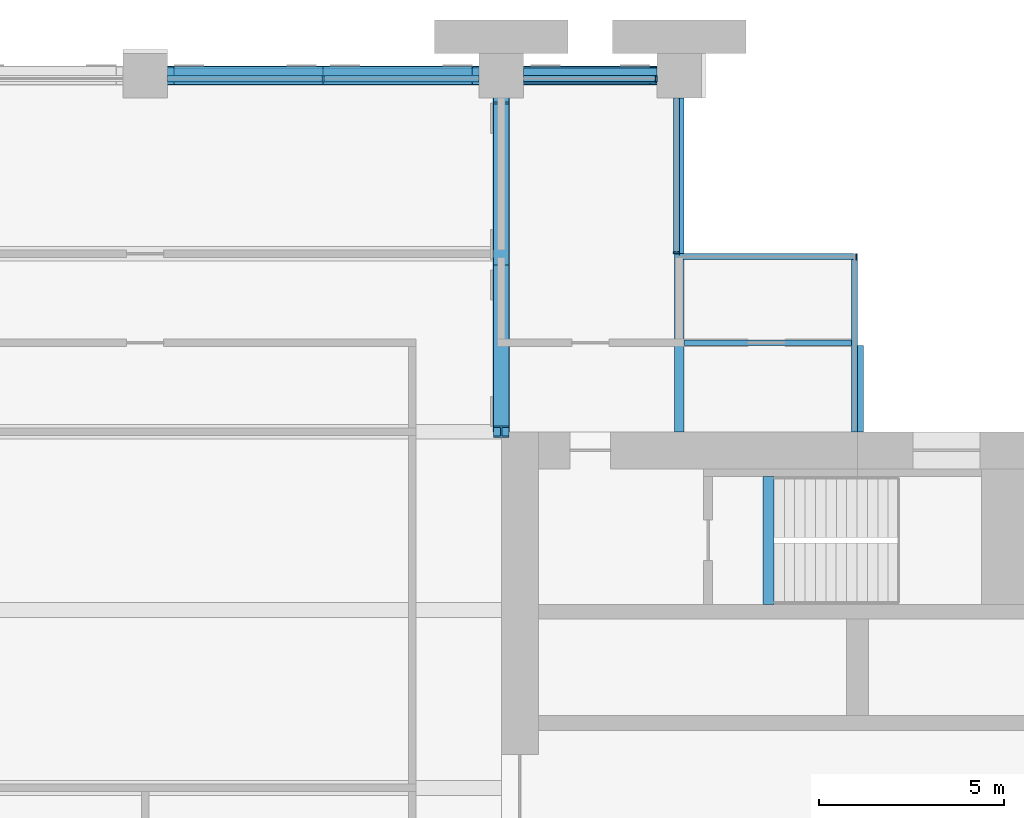
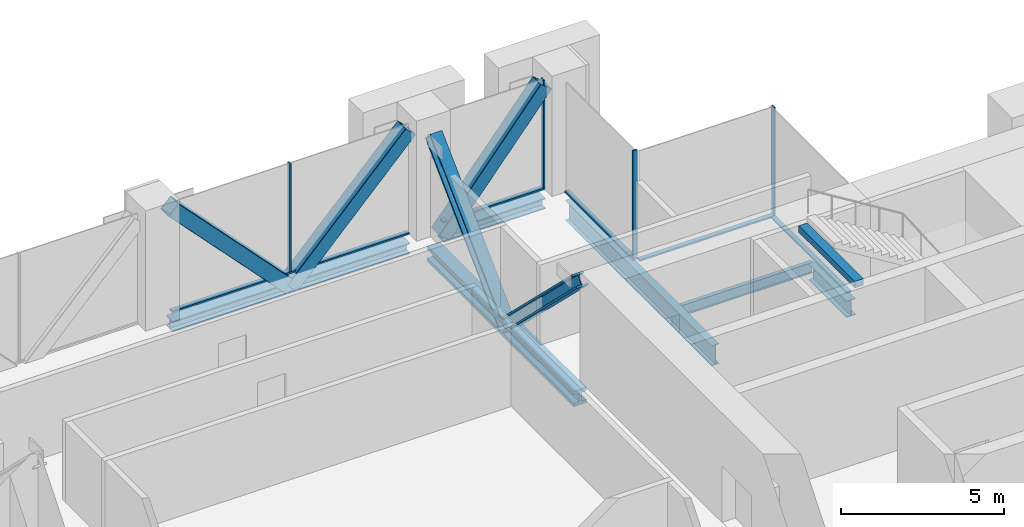
# One storey, part 7 of 14: 14 members, 7 beams, 4 elements without a shape of their own.
"""IFC4 building model written with IfcOpenShell, lengths in metres."""

from ifc_helpers import new_model, si_unit, direction, frame, origin, origin_2d, place, context, subcontext, project, spatial, rectangle, hollow_rectangle, i_section, extrude, material, material_profile, profile_set, type_object, element, aggregate, save


model = new_model("IFC4")

# Units and contexts
model_context = context("Model", 3, precision=1e-05, world=origin(), true_north=direction((0.0, 1.0)))
body_context = subcontext(model_context, "Body", "Model", "MODEL_VIEW")
ifc_project = project(units=[si_unit("LENGTHUNIT", "METRE"), si_unit("AREAUNIT", "SQUARE_METRE"), si_unit("VOLUMEUNIT", "CUBIC_METRE"), si_unit("PLANEANGLEUNIT", "RADIAN"), si_unit("MASSUNIT", "GRAM", prefix="KILO")], contexts=[model_context])

# Site, building, storey
site_placement = place(None, origin())
site = spatial("IfcSite", under=ifc_project, at=site_placement, CompositionType="ELEMENT")
building_placement = place(site_placement, origin())
building = spatial("IfcBuilding", under=site, at=building_placement, Name="Baori Bourse Tower", CompositionType="ELEMENT")
storey_placement = place(building_placement, frame((0.0, 0.0, 176.10009765625)))
storey = spatial("IfcBuildingStorey", under=building, at=storey_placement, Name="L39", CompositionType="ELEMENT", Elevation=176.10009765625)

# Beams
ifc_material_1 = material(Name="Steel A913 Gr 65", Category="steel")
ifc_material_profile_1 = material_profile(ifc_material_1, i_section(OverallWidth=0.4013671875, OverallDepth=0.398681640625, WebThickness=0.02490234375, FlangeThickness=0.03955078125, at=origin_2d()), Name="W14x211")
ifc_profile_set_1 = profile_set([ifc_material_profile_1], Name="Steel A913 Gr 65")
beam_type_1 = type_object("IfcBeamType", Name="Belt truss chord W14x211", PredefinedType="BEAM", material=ifc_profile_set_1)
beam_1_placement = place(storey_placement, frame((29.39990234375, 48.0, -0.49951171875), z_axis=(1.0, 0.0, 0.0), x_axis=(0.0, 1.0, 0.0)))
element("IfcBeam", 1, at=beam_1_placement, inside=storey, type_object=beam_type_1, Name="Belt truss chord L39", PredefinedType="BEAM", context=body_context, shape_type="SweptSolid", body=[
    extrude(i_section(OverallWidth=0.4013671875, OverallDepth=0.398681640625, WebThickness=0.02490234375, FlangeThickness=0.03955078125, at=origin_2d()), origin(), (0.0, 0.0, 1.0), 8.400146484375),
])
beam_2_placement = place(storey_placement, frame((39.0, 48.0, -0.49951171875), z_axis=(1.0, 0.0, 0.0), x_axis=(0.0, 1.0, 0.0)))
element("IfcBeam", 2, at=beam_2_placement, inside=storey, type_object=beam_type_1, Name="Belt truss chord L39", PredefinedType="BEAM", context=body_context, shape_type="SweptSolid", body=[
    extrude(i_section(OverallWidth=0.4013671875, OverallDepth=0.398681640625, WebThickness=0.02490234375, FlangeThickness=0.03955078125, at=origin_2d()), origin(), (0.0, 0.0, 1.0), 3.60009765625),
])

# Members
ifc_material_2 = material(Name="Steel A500 Gr C", Category="steel")
ifc_material_profile_2 = material_profile(ifc_material_2, hollow_rectangle(XDim=0.508056640625, YDim=0.508056640625, WallThickness=0.0146484375, InnerFilletRadius=0.00732421875, OuterFilletRadius=0.022216796875, at=origin_2d()), Name="HSS20x20x5/8")
ifc_profile_set_2 = profile_set([ifc_material_profile_2], Name="Steel A500 Gr C")
member_type_1 = type_object("IfcMemberType", Name="Belt truss diagonal HSS20x20x5/8", PredefinedType="BRACE", material=ifc_profile_set_2)
for number, where, z_axis, x_axis, name in (
    (3, (29.39990234375, 48.0, 3.900390625), (0.69050056554, 0.0, -0.723331852602), (0.0, 1.0, 0.0), "Belt truss diagonal L39"),
    (4, (33.60009765625, 48.0, -0.49951171875), (0.690479565127, 0.0, 0.723351899245), (0.0, 1.0, 0.0), "Belt truss diagonal L39"),
):
    element("IfcMember", number, at=place(storey_placement, frame(where, z_axis=z_axis, x_axis=x_axis)), inside=storey, type_object=member_type_1, Name=name, PredefinedType="BRACE", context=body_context, shape_type="SweptSolid", body=[
        extrude(hollow_rectangle(XDim=0.508056640625, YDim=0.508056640625, WallThickness=0.0146484375, InnerFilletRadius=0.00732421875, OuterFilletRadius=0.022216796875, at=origin_2d()), origin(), (0.0, 0.0, 1.0), 6.082763671875),
    ])
member_1_placement = place(storey_placement, frame((39.0, 48.0, -0.49951171875), z_axis=(0.633256498476, 0.0, 0.773941992102), x_axis=(0.0, 1.0, 0.0)))
element("IfcMember", 5, at=member_1_placement, inside=storey, type_object=member_type_1, Name="Belt truss diagonal L39", PredefinedType="BRACE", context=body_context, shape_type="SweptSolid", body=[
    extrude(hollow_rectangle(XDim=0.508056640625, YDim=0.508056640625, WallThickness=0.0146484375, InnerFilletRadius=0.00732421875, OuterFilletRadius=0.022216796875, at=origin_2d()), origin(), (0.0, 0.0, 1.0), 5.68505859375),
])

# Curtain wall, member
ifc_material_3 = material(Name="Pale anodised aluminium", Category="aluminium")
curtain_wall_type = type_object("IfcCurtainWallType", Name="CW3 Curtain wall", PredefinedType="NOTDEFINED", material=ifc_material_3)
curtain_wall_1_placement = place(storey_placement, origin())
curtain_wall_1 = element("IfcCurtainWall", 6, at=curtain_wall_1_placement, inside=storey, type_object=curtain_wall_type, Name="Curtain wall CW3 L39 2", PredefinedType="NOTDEFINED")
ifc_material_4 = material(Name="Pale anodised aluminium", Category="aluminium")
ifc_material_profile_3 = material_profile(ifc_material_4, rectangle(XDim=0.159912109375, YDim=0.050048828125, at=origin_2d()), Name="Mullion 50x160")
ifc_profile_set_3 = profile_set([ifc_material_profile_3], Name="Pale anodised aluminium")
member_type_2 = type_object("IfcMemberType", Name="CW3 Curtain wall mullion", PredefinedType="MULLION", material=ifc_profile_set_3)
member_2_placement = place(storey_placement, frame((47.97509765625, 43.1201171875, 0.059814453125), z_axis=(0.0, 0.0, 1.0), x_axis=(0.0, -1.0, 0.0)))
member_2 = element("IfcMember", 7, at=member_2_placement, type_object=member_type_2, Name="Curtain wall CW3 mullion", PredefinedType="MULLION", context=body_context, shape_type="SweptSolid", body=[
    extrude(rectangle(XDim=0.159912109375, YDim=0.050048828125, at=origin_2d()), origin(), (0.0, 0.0, 1.0), 4.0400390625),
])

curtain_wall_2_placement = place(storey_placement, origin())
curtain_wall_2 = element("IfcCurtainWall", 8, at=curtain_wall_2_placement, inside=storey, type_object=curtain_wall_type, Name="Curtain wall CW3 L39 3", PredefinedType="NOTDEFINED")
member_3_placement = place(storey_placement, frame((43.1201171875, 43.22509765625, 0.059814453125), z_axis=(0.0, 0.0, 1.0), x_axis=(-1.0, 0.0, 0.0)))
member_3 = element("IfcMember", 9, at=member_3_placement, type_object=member_type_2, Name="Curtain wall CW3 mullion", PredefinedType="MULLION", context=body_context, shape_type="SweptSolid", body=[
    extrude(rectangle(XDim=0.159912109375, YDim=0.050048828125, at=origin_2d()), origin(), (0.0, 0.0, 1.0), 4.0400390625),
])

# Curtain wall, members
curtain_wall_3_placement = place(storey_placement, origin())
curtain_wall_3 = element("IfcCurtainWall", 10, at=curtain_wall_3_placement, inside=storey, type_object=curtain_wall_type, Name="Curtain wall CW3 L39 4", PredefinedType="NOTDEFINED")
member_4_placement = place(storey_placement, frame((42.574951171875, 47.919921875, 0.059814453125), z_axis=(0.0, 0.0, 1.0), x_axis=(0.0, -1.0, 0.0)))
member_4 = element("IfcMember", 11, at=member_4_placement, type_object=member_type_2, Name="Curtain wall CW3 mullion", PredefinedType="MULLION", context=body_context, shape_type="SweptSolid", body=[
    extrude(rectangle(XDim=0.159912109375, YDim=0.050048828125, at=origin_2d()), origin(), (0.0, 0.0, 1.0), 4.0400390625),
])
member_5_placement = place(storey_placement, frame((33.60009765625, 47.919921875, 0.059814453125), z_axis=(0.0, 0.0, 1.0), x_axis=(0.0, -1.0, 0.0)))
member_5 = element("IfcMember", 12, at=member_5_placement, type_object=member_type_2, Name="Curtain wall CW3 mullion", PredefinedType="MULLION", context=body_context, shape_type="SweptSolid", body=[
    extrude(rectangle(XDim=0.159912109375, YDim=0.050048828125, at=origin_2d()), origin(), (0.0, 0.0, 1.0), 4.0400390625),
])

# Curtain wall, member
curtain_wall_4_placement = place(storey_placement, origin())
curtain_wall_4 = element("IfcCurtainWall", 13, at=curtain_wall_4_placement, inside=storey, type_object=curtain_wall_type, Name="Curtain wall CW3 L39 1", PredefinedType="NOTDEFINED")
ifc_material_5 = material(Name="Pale anodised aluminium", Category="aluminium")
ifc_material_profile_4 = material_profile(ifc_material_5, rectangle(XDim=0.159912109375, YDim=0.06005859375, at=origin_2d()), Name="Transom 60x160")
ifc_profile_set_4 = profile_set([ifc_material_profile_4], Name="Pale anodised aluminium")
member_type_3 = type_object("IfcMemberType", Name="CW3 Curtain wall transom", PredefinedType="USERDEFINED", material=ifc_profile_set_4)
member_6_placement = place(storey_placement, frame((47.919921875, 38.39990234375, 0.02978515625), z_axis=(0.0, 1.0, 0.0), x_axis=(-1.0, 0.0, 0.0)))
member_6 = element("IfcMember", 14, at=member_6_placement, type_object=member_type_3, Name="Curtain wall CW3 sill rail", ObjectType="TRANSOM", PredefinedType="USERDEFINED", context=body_context, shape_type="SweptSolid", body=[
    extrude(rectangle(XDim=0.159912109375, YDim=0.06005859375, at=origin_2d()), origin(), (0.0, 0.0, 1.0), 4.800048828125),
])
aggregate(curtain_wall_4, [member_6])

# Member
member_7_placement = place(storey_placement, frame((48.0, 43.1201171875, 0.02978515625), z_axis=(-1.0, 0.0, 0.0), x_axis=(0.0, -1.0, 0.0)))
member_7 = element("IfcMember", 15, at=member_7_placement, type_object=member_type_3, Name="Curtain wall CW3 sill rail", ObjectType="TRANSOM", PredefinedType="USERDEFINED", context=body_context, shape_type="SweptSolid", body=[
    extrude(rectangle(XDim=0.159912109375, YDim=0.06005859375, at=origin_2d()), origin(), (0.0, 0.0, 1.0), 4.800048828125),
])

aggregate(curtain_wall_1, [member_7, member_2])

member_8_placement = place(storey_placement, frame((43.1201171875, 43.199951171875, 0.02978515625), z_axis=(0.0, 1.0, 0.0), x_axis=(-1.0, 0.0, 0.0)))
member_8 = element("IfcMember", 16, at=member_8_placement, type_object=member_type_3, Name="Curtain wall CW3 sill rail", ObjectType="TRANSOM", PredefinedType="USERDEFINED", context=body_context, shape_type="SweptSolid", body=[
    extrude(rectangle(XDim=0.159912109375, YDim=0.06005859375, at=origin_2d()), origin(), (0.0, 0.0, 1.0), 4.199951171875),
])

aggregate(curtain_wall_2, [member_8, member_3])

member_9_placement = place(storey_placement, frame((42.60009765625, 47.919921875, 0.02978515625), z_axis=(-1.0, 0.0, 0.0), x_axis=(0.0, -1.0, 0.0)))
member_9 = element("IfcMember", 17, at=member_9_placement, type_object=member_type_3, Name="Curtain wall CW3 sill rail", ObjectType="TRANSOM", PredefinedType="USERDEFINED", context=body_context, shape_type="SweptSolid", body=[
    extrude(rectangle(XDim=0.159912109375, YDim=0.06005859375, at=origin_2d()), origin(), (0.0, 0.0, 1.0), 3.60009765625),
])

member_10_placement = place(storey_placement, frame((37.800048828125, 47.919921875, 0.02978515625), z_axis=(-1.0, 0.0, 0.0), x_axis=(0.0, -1.0, 0.0)))
member_10 = element("IfcMember", 18, at=member_10_placement, type_object=member_type_3, Name="Curtain wall CW3 sill rail", ObjectType="TRANSOM", PredefinedType="USERDEFINED", context=body_context, shape_type="SweptSolid", body=[
    extrude(rectangle(XDim=0.159912109375, YDim=0.06005859375, at=origin_2d()), origin(), (0.0, 0.0, 1.0), 8.400146484375),
])

aggregate(curtain_wall_3, [member_9, member_4, member_10, member_5])

# Beams
ifc_material_6 = material(Name="Steel A992 Gr 50", Category="steel")
ifc_material_profile_5 = material_profile(ifc_material_6, i_section(OverallWidth=0.3251953125, OverallDepth=0.612060546875, WebThickness=0.0126953125, FlangeThickness=0.01904296875, at=origin_2d()), Name="W24x104")
ifc_profile_set_5 = profile_set([ifc_material_profile_5], Name="Steel A992 Gr 50")
beam_type_2 = type_object("IfcBeamType", Name="Core bracket W24x104", PredefinedType="BEAM", material=ifc_profile_set_5)
beam_3_placement = place(storey_placement, frame((48.0, 38.39990234375, -0.606201171875), z_axis=(0.0, 1.0, 0.0), x_axis=(-1.0, 0.0, 0.0)))
element("IfcBeam", 19, at=beam_3_placement, inside=storey, type_object=beam_type_2, Name="Core bracket L39", PredefinedType="BEAM", context=body_context, shape_type="SweptSolid", body=[
    extrude(i_section(OverallWidth=0.3251953125, OverallDepth=0.612060546875, WebThickness=0.0126953125, FlangeThickness=0.01904296875, at=origin_2d()), origin(), (0.0, 0.0, 1.0), 2.329833984375),
])
ifc_material_7 = material(Name="Steel A992 Gr 50", Category="steel")
ifc_material_profile_6 = material_profile(ifc_material_7, i_section(OverallWidth=0.26416015625, OverallDepth=0.749267578125, WebThickness=0.011962890625, FlangeThickness=0.015380859375, at=origin_2d()), Name="W30x90")
ifc_profile_set_6 = profile_set([ifc_material_profile_6], Name="Steel A992 Gr 50")
beam_type_3 = type_object("IfcBeamType", Name="Floor beam W30x90", PredefinedType="BEAM", material=ifc_profile_set_6)
beam_4_placement = place(storey_placement, frame((43.199951171875, 38.39990234375, -0.6748046875), z_axis=(0.0, 1.0, 0.0), x_axis=(-1.0, 0.0, 0.0)))
element("IfcBeam", 20, at=beam_4_placement, inside=storey, type_object=beam_type_3, Name="Floor beam L39", PredefinedType="BEAM", context=body_context, shape_type="SweptSolid", body=[
    extrude(i_section(OverallWidth=0.26416015625, OverallDepth=0.749267578125, WebThickness=0.011962890625, FlangeThickness=0.015380859375, at=origin_2d()), origin(), (0.0, 0.0, 1.0), 9.0),
])
ifc_material_8 = material(Name="Steel A913 Gr 65", Category="steel")
ifc_material_profile_7 = material_profile(ifc_material_8, i_section(OverallWidth=0.45458984375, OverallDepth=0.56884765625, WebThickness=0.077880859375, FlangeThickness=0.124755859375, at=origin_2d()), Name="W14x730")
ifc_profile_set_7 = profile_set([ifc_material_profile_7], Name="Steel A913 Gr 65")
beam_type_4 = type_object("IfcBeamType", Name="Outrigger truss chord W14x730", PredefinedType="BEAM", material=ifc_profile_set_7)
beam_5_placement = place(storey_placement, frame((38.39990234375, 38.39990234375, -0.58447265625), z_axis=(0.0, 1.0, 0.0), x_axis=(-1.0, 0.0, 0.0)))
element("IfcBeam", 21, at=beam_5_placement, inside=storey, type_object=beam_type_4, Name="Outrigger truss chord L39", PredefinedType="BEAM", context=body_context, shape_type="SweptSolid", body=[
    extrude(i_section(OverallWidth=0.45458984375, OverallDepth=0.56884765625, WebThickness=0.077880859375, FlangeThickness=0.124755859375, at=origin_2d()), origin(), (0.0, 0.0, 1.0), 9.0),
])

# Members
ifc_material_9 = material(Name="Steel A913 Gr 65", Category="steel")
ifc_material_profile_8 = material_profile(ifc_material_9, i_section(OverallWidth=0.419189453125, OverallDepth=0.45458984375, WebThickness=0.042236328125, FlangeThickness=0.067626953125, at=origin_2d()), Name="W14x370")
ifc_profile_set_8 = profile_set([ifc_material_profile_8], Name="Steel A913 Gr 65")
member_type_4 = type_object("IfcMemberType", Name="Outrigger truss diagonal W14x370", PredefinedType="BRACE", material=ifc_profile_set_8)
for number, where, z_axis, x_axis, name in (
    (22, (38.39990234375, 38.39990234375, 3.8154296875), (0.0, 0.715014425413, -0.699109699154), (-1.0, 0.0, 0.0), "Outrigger truss diagonal L39"),
    (23, (38.39990234375, 42.89990234375, -0.58447265625), (0.0, 0.715014425413, 0.699109699154), (-1.0, 0.0, 0.0), "Outrigger truss diagonal L39"),
):
    element("IfcMember", number, at=place(storey_placement, frame(where, z_axis=z_axis, x_axis=x_axis)), inside=storey, type_object=member_type_4, Name=name, PredefinedType="BRACE", context=body_context, shape_type="SweptSolid", body=[
        extrude(i_section(OverallWidth=0.419189453125, OverallDepth=0.45458984375, WebThickness=0.042236328125, FlangeThickness=0.067626953125, at=origin_2d()), origin(), (0.0, 0.0, 1.0), 6.293701171875),
    ])

# Beams
ifc_material_10 = material(Name="Concrete f'c 50 MPa", Category="concrete")
ifc_material_profile_9 = material_profile(ifc_material_10, rectangle(XDim=0.300048828125, YDim=0.25, at=origin_2d()), Name="RC 300x250")
ifc_profile_set_9 = profile_set([ifc_material_profile_9], Name="Concrete f'c 50 MPa")
beam_type_5 = type_object("IfcBeamType", Name="Stair nib beam RC 300x250", PredefinedType="BEAM", material=ifc_profile_set_9)
beam_6_placement = place(storey_placement, frame((45.60009765625, 33.75, 3.974853515625), z_axis=(0.0, 1.0, 0.0), x_axis=(-1.0, 0.0, 0.0)))
element("IfcBeam", 24, at=beam_6_placement, inside=storey, type_object=beam_type_5, Name="Stair EB nib beam L40", PredefinedType="BEAM", context=body_context, shape_type="SweptSolid", body=[
    extrude(rectangle(XDim=0.300048828125, YDim=0.25, at=origin_2d()), origin(), (0.0, 0.0, 1.0), 3.449951171875),
])
ifc_material_11 = material(Name="Steel A992 Gr 50", Category="steel")
ifc_material_profile_10 = material_profile(ifc_material_11, i_section(OverallWidth=0.140380859375, OverallDepth=0.40380859375, WebThickness=0.007080078125, FlangeThickness=0.01123046875, at=origin_2d()), Name="W16x31")
ifc_profile_set_10 = profile_set([ifc_material_profile_10], Name="Steel A992 Gr 50")
beam_type_6 = type_object("IfcBeamType", Name="Trimmer beam W16x31", PredefinedType="BEAM", material=ifc_profile_set_10)
beam_7_placement = place(storey_placement, frame((43.33203125, 40.800048828125, -0.501953125), z_axis=(1.0, 0.0, 0.0), x_axis=(0.0, 1.0, 0.0)))
element("IfcBeam", 25, at=beam_7_placement, inside=storey, type_object=beam_type_6, Name="Trimmer beam L39", PredefinedType="BEAM", context=body_context, shape_type="SweptSolid", body=[
    extrude(i_section(OverallWidth=0.140380859375, OverallDepth=0.40380859375, WebThickness=0.007080078125, FlangeThickness=0.01123046875, at=origin_2d()), origin(), (0.0, 0.0, 1.0), 4.66796875),
])

save(model, "model.ifc")
